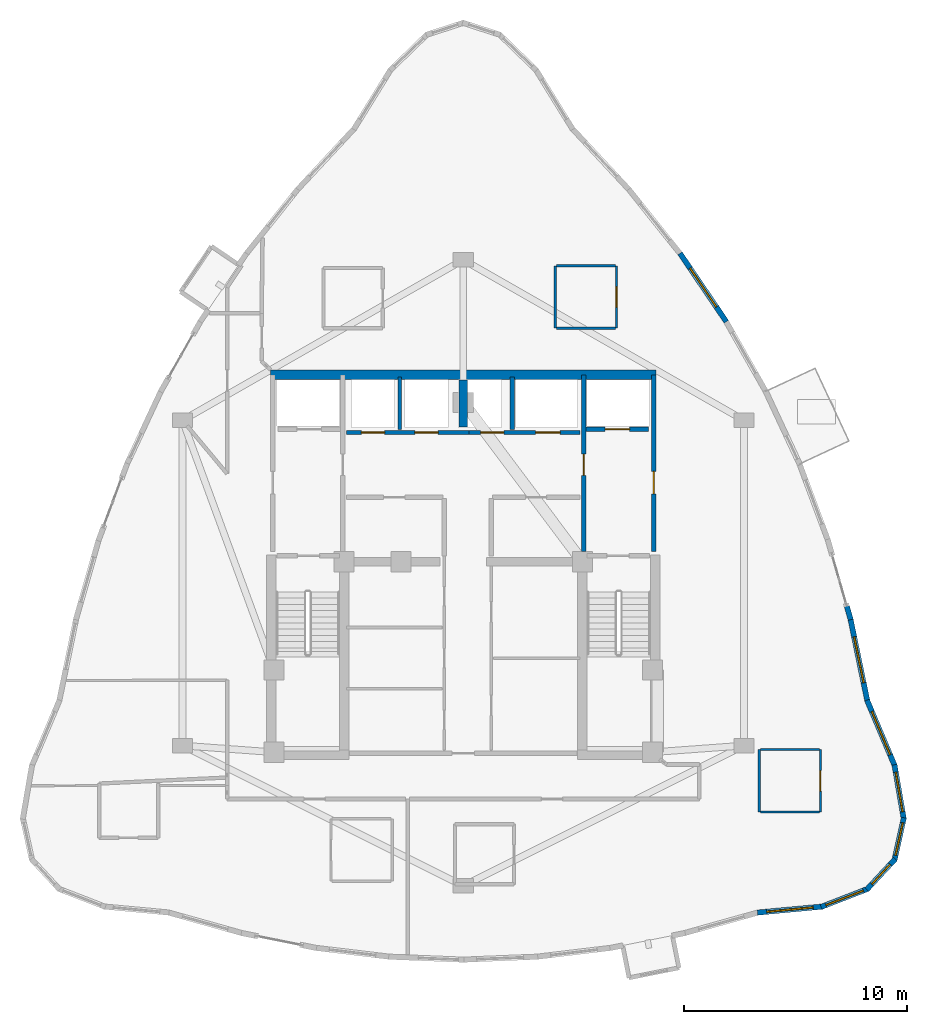
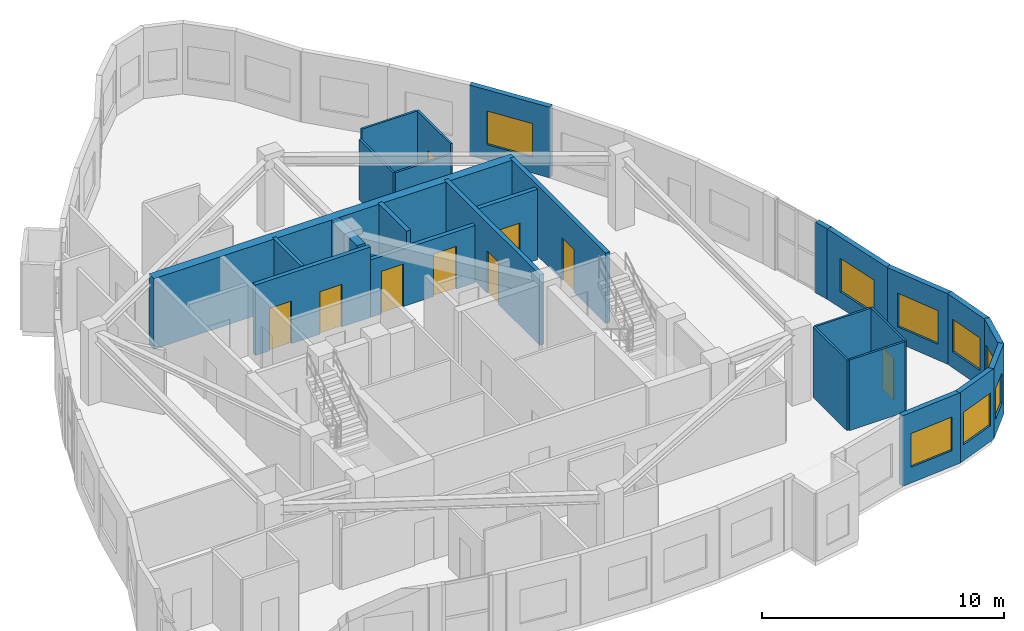
# One storey, part 14 of 16: 26 walls, 9 doors, 8 windows, 17 openings.
"""IFC4 building model written with IfcOpenShell, lengths in metres."""

from ifc_helpers import new_model, si_unit, direction, frame, frame_2d, origin, place, context, subcontext, project, spatial, rectangle, extrude, material, layer, layer_set, type_object, element, fill, save


model = new_model("IFC4")

# Units and contexts
model_context = context("Model", 3, precision=1e-05, world=origin(), true_north=direction((0.0, 1.0)))
body_context = subcontext(model_context, "Body", "Model", "MODEL_VIEW")
ifc_project = project(units=[si_unit("LENGTHUNIT", "METRE"), si_unit("AREAUNIT", "SQUARE_METRE"), si_unit("VOLUMEUNIT", "CUBIC_METRE"), si_unit("PLANEANGLEUNIT", "RADIAN"), si_unit("MASSUNIT", "GRAM", prefix="KILO")], contexts=[model_context])

# Site, building, storey
site_placement = place(None, origin())
site = spatial("IfcSite", under=ifc_project, at=site_placement, CompositionType="ELEMENT")
building_placement = place(site_placement, origin())
building = spatial("IfcBuilding", under=site, at=building_placement, Name="Miruveldt Soraemaru", CompositionType="ELEMENT")
storey_placement = place(building_placement, frame((0.0, 0.0, 271.25)))
storey = spatial("IfcBuildingStorey", under=building, at=storey_placement, Name="L74", CompositionType="ELEMENT", Elevation=271.25)

# Walls
ifc_material_1 = material(Name="Concrete C70/85 (70 MPa)", Category="concrete")
ifc_layer_1 = layer(ifc_material_1, 0.5, Name="Concrete C70/85 (70 MPa)", Category="concrete")
ifc_layer_set_1 = layer_set([ifc_layer_1], Name="Concrete C70/85 (70 MPa)")
wall_type_1 = type_object("IfcWallType", Name="WALL-BW-500", PredefinedType="SHEAR", material=ifc_layer_set_1)
wall_1_placement = place(storey_placement, frame((44.0, 50.10009765625, 0.0), z_axis=(0.0, 0.0, 1.0), x_axis=(0.0, 1.0, 0.0)))
element("IfcWall", 1, at=wall_1_placement, inside=storey, type_object=wall_type_1, Name="L74 Core Buttress Shear Wall BN", PredefinedType="SHEAR", context=body_context, shape_type="SweptSolid", body=[
    extrude(rectangle(XDim=2.099853515625, YDim=0.39990234375, at=frame_2d((1.0498046875, 0.0))), origin(), (0.0, 0.0, 1.0), 3.56494140625),
])
ifc_material_2 = material(Name="Concrete C50/60 (50 MPa)", Category="concrete")
ifc_layer_2 = layer(ifc_material_2, 0.419921875, Name="Concrete C50/60 (50 MPa)", Category="concrete")
ifc_layer_set_2 = layer_set([ifc_layer_2], Name="Concrete C50/60 (50 MPa)")
wall_type_2 = type_object("IfcWallType", Name="WALL-CW-420", PredefinedType="SHEAR", material=ifc_layer_set_2)
wall_2_placement = place(storey_placement, frame((35.35009765625, 52.449951171875, 0.0), z_axis=(0.0, 0.0, 1.0), x_axis=(1.0, 0.0, 0.0)))
element("IfcWall", 2, at=wall_2_placement, inside=storey, type_object=wall_type_2, Name="L74 Central Core Shear Wall N", PredefinedType="SHEAR", context=body_context, shape_type="SweptSolid", body=[
    extrude(rectangle(XDim=17.2998046875, YDim=0.419921875, at=frame_2d((8.64990234375, 0.0))), origin(), (0.0, 0.0, 1.0), 3.56494140625),
])

# Wall, opening, window
ifc_material_3 = material(Name="Precast concrete C45/55 (45 MPa)", Category="concrete")
ifc_layer_3 = layer(ifc_material_3, 0.239990234375, Name="Precast concrete C45/55 (45 MPa)", Category="concrete")
ifc_layer_set_3 = layer_set([ifc_layer_3], Name="Precast concrete C45/55 (45 MPa)")
wall_type_3 = type_object("IfcWallType", Name="WALL-EXT-PC240", PredefinedType="SOLIDWALL", material=ifc_layer_set_3)
wall_3_placement = place(storey_placement, frame((57.20166015625, 28.30078125, 0.0), z_axis=(0.0, 0.0, 1.0), x_axis=(0.995760129853, 0.091987845913, 0.0)))
wall_3 = element("IfcWall", 3, at=wall_3_placement, inside=storey, type_object=wall_type_3, Name="L74 Precast Concrete Facade Wall 29", PredefinedType="SOLIDWALL", context=body_context, shape_type="SweptSolid", body=[
    extrude(rectangle(XDim=2.940673828125, YDim=0.239990234375, at=frame_2d((1.47021484375, 0.0))), origin(), (0.0, 0.0, 1.0), 3.56494140625),
])
opening_1_placement = place(wall_3_placement, frame((0.4208984375, 0.0, 0.800048828125)))
opening_1 = element("IfcOpeningElement", 4, at=opening_1_placement, cuts=wall_3, Name="Opening WN-1", PredefinedType="OPENING", context=body_context, shape_type="SweptSolid", body=[
    extrude(rectangle(XDim=2.10009765625, YDim=1.699951171875, at=frame_2d((1.050048828125, 0.85009765625))), frame((0.0, 0.1298828125, 0.0), z_axis=(0.0, -1.0, 0.0), x_axis=(1.0, 0.0, 0.0)), (0.0, 0.0, 1.0), 0.260009765625),
])
ifc_material_4 = material(Name="Triple low-e insulated glazing", Category="glass")
window_type_1 = type_object("IfcWindowType", Name="WIN-PUNCH-2100x1700", PartitioningType="SINGLE_PANEL", PredefinedType="WINDOW", material=ifc_material_4)
window_1_placement = place(opening_1_placement, origin())
window_1 = element("IfcWindow", 5, at=window_1_placement, inside=storey, type_object=window_type_1, Name="L74 Punched Triple-Glazed Window 29.1", OverallHeight=1.699951171875, OverallWidth=2.10009765625, PartitioningType="SINGLE_PANEL", PredefinedType="WINDOW", context=body_context, shape_type="SweptSolid", body=[
    extrude(rectangle(XDim=2.10009765625, YDim=1.699951171875, at=frame_2d((1.050048828125, 0.85009765625))), frame((0.0, 0.030029296875, 0.0), z_axis=(0.0, -1.0, 0.0), x_axis=(1.0, 0.0, 0.0)), (0.0, 0.0, 1.0), 0.06005859375),
])
fill(opening_1, window_1)

wall_4_placement = place(storey_placement, frame((60.062255859375, 28.555419921875, 0.0), z_axis=(0.0, 0.0, 1.0), x_axis=(0.932300357616, 0.361685005481, 0.0)))
wall_4 = element("IfcWall", 6, at=wall_4_placement, inside=storey, type_object=wall_type_3, Name="L74 Precast Concrete Facade Wall 30", PredefinedType="SOLIDWALL", context=body_context, shape_type="SweptSolid", body=[
    extrude(rectangle(XDim=2.260009765625, YDim=0.239990234375, at=frame_2d((1.1298828125, 0.0))), origin(), (0.0, 0.0, 1.0), 3.56494140625),
])
opening_2_placement = place(wall_4_placement, frame((0.22998046875, 0.0, 0.800048828125)))
opening_2 = element("IfcOpeningElement", 7, at=opening_2_placement, cuts=wall_4, Name="Opening WN-2", PredefinedType="OPENING", context=body_context, shape_type="SweptSolid", body=[
    extrude(rectangle(XDim=1.800048828125, YDim=1.64990234375, at=frame_2d((0.89990234375, 0.824951171875))), frame((0.0, 0.1298828125, 0.0), z_axis=(0.0, -1.0, 0.0), x_axis=(1.0, 0.0, 0.0)), (0.0, 0.0, 1.0), 0.260009765625),
])
window_type_2 = type_object("IfcWindowType", Name="WIN-PUNCH-1800x1650", PartitioningType="SINGLE_PANEL", PredefinedType="WINDOW", material=ifc_material_4)
window_2_placement = place(opening_2_placement, origin())
window_2 = element("IfcWindow", 8, at=window_2_placement, inside=storey, type_object=window_type_2, Name="L74 Punched Triple-Glazed Window 30.1", OverallHeight=1.64990234375, OverallWidth=1.800048828125, PartitioningType="SINGLE_PANEL", PredefinedType="WINDOW", context=body_context, shape_type="SweptSolid", body=[
    extrude(rectangle(XDim=1.800048828125, YDim=1.64990234375, at=frame_2d((0.89990234375, 0.824951171875))), frame((0.0, 0.030029296875, 0.0), z_axis=(0.0, -1.0, 0.0), x_axis=(1.0, 0.0, 0.0)), (0.0, 0.0, 1.0), 0.06005859375),
])
fill(opening_2, window_2)

wall_5_placement = place(storey_placement, frame((62.11279296875, 29.33447265625, 0.0), z_axis=(0.0, 0.0, 1.0), x_axis=(0.680120690591, 0.733100161117, 0.0)))
wall_5 = element("IfcWall", 9, at=wall_5_placement, inside=storey, type_object=wall_type_3, Name="L74 Precast Concrete Facade Wall 31", PredefinedType="SOLIDWALL", context=body_context, shape_type="SweptSolid", body=[
    extrude(rectangle(XDim=1.870849609375, YDim=0.239990234375, at=frame_2d((0.935546875, 0.0))), origin(), (0.0, 0.0, 1.0), 3.56494140625),
])
opening_3_placement = place(wall_5_placement, frame((0.3359375, 0.0, 0.780029296875)))
opening_3 = element("IfcOpeningElement", 10, at=opening_3_placement, cuts=wall_5, Name="Opening WN-4", PredefinedType="OPENING", context=body_context, shape_type="SweptSolid", body=[
    extrude(rectangle(XDim=1.199951171875, YDim=1.550048828125, at=frame_2d((0.60009765625, 0.77490234375))), frame((0.0, 0.1298828125, 0.0), z_axis=(0.0, -1.0, 0.0), x_axis=(1.0, 0.0, 0.0)), (0.0, 0.0, 1.0), 0.260009765625),
])
window_type_3 = type_object("IfcWindowType", Name="WIN-PUNCH-1200x1550", PartitioningType="SINGLE_PANEL", PredefinedType="WINDOW", material=ifc_material_4)
window_3_placement = place(opening_3_placement, origin())
window_3 = element("IfcWindow", 11, at=window_3_placement, inside=storey, type_object=window_type_3, Name="L74 Punched Triple-Glazed Window 31.1", OverallHeight=1.550048828125, OverallWidth=1.199951171875, PartitioningType="SINGLE_PANEL", PredefinedType="WINDOW", context=body_context, shape_type="SweptSolid", body=[
    extrude(rectangle(XDim=1.199951171875, YDim=1.550048828125, at=frame_2d((0.60009765625, 0.77490234375))), frame((0.0, 0.030029296875, 0.0), z_axis=(0.0, -1.0, 0.0), x_axis=(1.0, 0.0, 0.0)), (0.0, 0.0, 1.0), 0.06005859375),
])
fill(opening_3, window_3)

wall_6_placement = place(storey_placement, frame((63.353759765625, 30.64599609375, 0.0), z_axis=(0.0, 0.0, 1.0), x_axis=(0.215784627028, 0.976440983746, 0.0)))
wall_6 = element("IfcWall", 12, at=wall_6_placement, inside=storey, type_object=wall_type_3, Name="L74 Precast Concrete Facade Wall 32", PredefinedType="SOLIDWALL", context=body_context, shape_type="SweptSolid", body=[
    extrude(rectangle(XDim=1.962890625, YDim=0.239990234375, at=frame_2d((0.9814453125, 0.0))), origin(), (0.0, 0.0, 1.0), 3.56494140625),
])
opening_4_placement = place(wall_6_placement, frame((0.23095703125, 0.0, 0.800048828125)))
opening_4 = element("IfcOpeningElement", 13, at=opening_4_placement, cuts=wall_6, Name="Opening WN-3", PredefinedType="OPENING", context=body_context, shape_type="SweptSolid", body=[
    extrude(rectangle(XDim=1.5, YDim=1.60009765625, at=frame_2d((0.75, 0.800048828125))), frame((0.0, 0.1298828125, 0.0), z_axis=(0.0, -1.0, 0.0), x_axis=(1.0, 0.0, 0.0)), (0.0, 0.0, 1.0), 0.260009765625),
])
window_type_4 = type_object("IfcWindowType", Name="WIN-PUNCH-1500x1600", PartitioningType="SINGLE_PANEL", PredefinedType="WINDOW", material=ifc_material_4)
window_4_placement = place(opening_4_placement, origin())
window_4 = element("IfcWindow", 14, at=window_4_placement, inside=storey, type_object=window_type_4, Name="L74 Punched Triple-Glazed Window 32.1", OverallHeight=1.60009765625, OverallWidth=1.5, PartitioningType="SINGLE_PANEL", PredefinedType="WINDOW", context=body_context, shape_type="SweptSolid", body=[
    extrude(rectangle(XDim=1.5, YDim=1.60009765625, at=frame_2d((0.75, 0.800048828125))), frame((0.0, 0.030029296875, 0.0), z_axis=(0.0, -1.0, 0.0), x_axis=(1.0, 0.0, 0.0)), (0.0, 0.0, 1.0), 0.06005859375),
])
fill(opening_4, window_4)

wall_7_placement = place(storey_placement, frame((63.775634765625, 32.493896484375, 0.0), z_axis=(0.0, 0.0, 1.0), x_axis=(-0.169343427953, 0.985557103069, 0.0)))
wall_7 = element("IfcWall", 15, at=wall_7_placement, inside=storey, type_object=wall_type_3, Name="L74 Precast Concrete Facade Wall 33", PredefinedType="SOLIDWALL", context=body_context, shape_type="SweptSolid", body=[
    extrude(rectangle(XDim=2.481201171875, YDim=0.239990234375, at=frame_2d((1.24072265625, 0.0))), origin(), (0.0, 0.0, 1.0), 3.56494140625),
])
opening_5_placement = place(wall_7_placement, frame((0.341064453125, 0.0, 0.800048828125)))
opening_5 = element("IfcOpeningElement", 16, at=opening_5_placement, cuts=wall_7, Name="Opening WN-2", PredefinedType="OPENING", context=body_context, shape_type="SweptSolid", body=[
    extrude(rectangle(XDim=1.800048828125, YDim=1.64990234375, at=frame_2d((0.89990234375, 0.824951171875))), frame((0.0, 0.1298828125, 0.0), z_axis=(0.0, -1.0, 0.0), x_axis=(1.0, 0.0, 0.0)), (0.0, 0.0, 1.0), 0.260009765625),
])
window_5_placement = place(opening_5_placement, origin())
window_5 = element("IfcWindow", 17, at=window_5_placement, inside=storey, type_object=window_type_2, Name="L74 Punched Triple-Glazed Window 33.1", OverallHeight=1.64990234375, OverallWidth=1.800048828125, PartitioningType="SINGLE_PANEL", PredefinedType="WINDOW", context=body_context, shape_type="SweptSolid", body=[
    extrude(rectangle(XDim=1.800048828125, YDim=1.64990234375, at=frame_2d((0.89990234375, 0.824951171875))), frame((0.0, 0.030029296875, 0.0), z_axis=(0.0, -1.0, 0.0), x_axis=(1.0, 0.0, 0.0)), (0.0, 0.0, 1.0), 0.06005859375),
])
fill(opening_5, window_5)

wall_8_placement = place(storey_placement, frame((63.375, 34.87255859375, 0.0), z_axis=(0.0, 0.0, 1.0), x_axis=(-0.38863618044, 0.921391295408, 0.0)))
wall_8 = element("IfcWall", 18, at=wall_8_placement, inside=storey, type_object=wall_type_3, Name="L74 Precast Concrete Facade Wall 34", PredefinedType="SOLIDWALL", context=body_context, shape_type="SweptSolid", body=[
    extrude(rectangle(XDim=3.221923828125, YDim=0.239990234375, at=frame_2d((1.61083984375, 0.0))), origin(), (0.0, 0.0, 1.0), 3.56494140625),
])
opening_6_placement = place(wall_8_placement, frame((0.56103515625, 0.0, 0.800048828125)))
opening_6 = element("IfcOpeningElement", 19, at=opening_6_placement, cuts=wall_8, Name="Opening WN-1", PredefinedType="OPENING", context=body_context, shape_type="SweptSolid", body=[
    extrude(rectangle(XDim=2.10009765625, YDim=1.699951171875, at=frame_2d((1.050048828125, 0.85009765625))), frame((0.0, 0.1298828125, 0.0), z_axis=(0.0, -1.0, 0.0), x_axis=(1.0, 0.0, 0.0)), (0.0, 0.0, 1.0), 0.260009765625),
])
window_6_placement = place(opening_6_placement, origin())
window_6 = element("IfcWindow", 20, at=window_6_placement, inside=storey, type_object=window_type_1, Name="L74 Punched Triple-Glazed Window 34.1", OverallHeight=1.699951171875, OverallWidth=2.10009765625, PartitioningType="SINGLE_PANEL", PredefinedType="WINDOW", context=body_context, shape_type="SweptSolid", body=[
    extrude(rectangle(XDim=2.10009765625, YDim=1.699951171875, at=frame_2d((1.050048828125, 0.85009765625))), frame((0.0, 0.030029296875, 0.0), z_axis=(0.0, -1.0, 0.0), x_axis=(1.0, 0.0, 0.0)), (0.0, 0.0, 1.0), 0.06005859375),
])
fill(opening_6, window_6)

wall_9_placement = place(storey_placement, frame((62.1435546875, 37.77490234375, 0.0), z_axis=(0.0, 0.0, 1.0), x_axis=(-0.201582588986, 0.979471520677, 0.0)))
wall_9 = element("IfcWall", 21, at=wall_9_placement, inside=storey, type_object=wall_type_3, Name="L74 Precast Concrete Facade Wall 35", PredefinedType="SOLIDWALL", context=body_context, shape_type="SweptSolid", body=[
    extrude(rectangle(XDim=3.81982421875, YDim=0.239990234375, at=frame_2d((1.909912109375, 0.0))), origin(), (0.0, 0.0, 1.0), 3.56494140625),
])
opening_7_placement = place(wall_9_placement, frame((0.860107421875, 0.0, 0.800048828125)))
opening_7 = element("IfcOpeningElement", 22, at=opening_7_placement, cuts=wall_9, Name="Opening WN-1", PredefinedType="OPENING", context=body_context, shape_type="SweptSolid", body=[
    extrude(rectangle(XDim=2.10009765625, YDim=1.699951171875, at=frame_2d((1.050048828125, 0.85009765625))), frame((0.0, 0.1298828125, 0.0), z_axis=(0.0, -1.0, 0.0), x_axis=(1.0, 0.0, 0.0)), (0.0, 0.0, 1.0), 0.260009765625),
])
window_7_placement = place(opening_7_placement, origin())
window_7 = element("IfcWindow", 23, at=window_7_placement, inside=storey, type_object=window_type_1, Name="L74 Punched Triple-Glazed Window 35.1", OverallHeight=1.699951171875, OverallWidth=2.10009765625, PartitioningType="SINGLE_PANEL", PredefinedType="WINDOW", context=body_context, shape_type="SweptSolid", body=[
    extrude(rectangle(XDim=2.10009765625, YDim=1.699951171875, at=frame_2d((1.050048828125, 0.85009765625))), frame((0.0, 0.030029296875, 0.0), z_axis=(0.0, -1.0, 0.0), x_axis=(1.0, 0.0, 0.0)), (0.0, 0.0, 1.0), 0.06005859375),
])
fill(opening_7, window_7)

# Wall
wall_10_placement = place(storey_placement, frame((61.39013671875, 41.448486328125, 0.0), z_axis=(0.0, 0.0, 1.0), x_axis=(-0.274995576432, 0.961445491405, 0.0)))
element("IfcWall", 24, at=wall_10_placement, inside=storey, type_object=wall_type_3, Name="L74 Precast Pier Left 36", PredefinedType="SOLIDWALL", context=body_context, shape_type="SweptSolid", body=[
    extrude(rectangle(XDim=0.704833984375, YDim=0.239990234375, at=frame_2d((0.3525390625, 0.0))), origin(), (0.0, 0.0, 1.0), 3.56494140625),
])

# Wall, opening, window
wall_11_placement = place(storey_placement, frame((55.80908203125, 54.821533203125, 0.0), z_axis=(0.0, 0.0, 1.0), x_axis=(-0.560855426281, 0.827913758076, 0.0)))
wall_11 = element("IfcWall", 25, at=wall_11_placement, inside=storey, type_object=wall_type_3, Name="L74 Precast Concrete Facade Wall 40", PredefinedType="SOLIDWALL", context=body_context, shape_type="SweptSolid", body=[
    extrude(rectangle(XDim=3.70703125, YDim=0.239990234375, at=frame_2d((1.853515625, 0.0))), origin(), (0.0, 0.0, 1.0), 3.56494140625),
])
opening_8_placement = place(wall_11_placement, frame((0.803955078125, 0.0, 0.800048828125)))
opening_8 = element("IfcOpeningElement", 26, at=opening_8_placement, cuts=wall_11, Name="Opening WN-1", PredefinedType="OPENING", context=body_context, shape_type="SweptSolid", body=[
    extrude(rectangle(XDim=2.10009765625, YDim=1.699951171875, at=frame_2d((1.050048828125, 0.85009765625))), frame((0.0, 0.1298828125, 0.0), z_axis=(0.0, -1.0, 0.0), x_axis=(1.0, 0.0, 0.0)), (0.0, 0.0, 1.0), 0.260009765625),
])
window_8_placement = place(opening_8_placement, origin())
window_8 = element("IfcWindow", 27, at=window_8_placement, inside=storey, type_object=window_type_1, Name="L74 Punched Triple-Glazed Window 40.1", OverallHeight=1.699951171875, OverallWidth=2.10009765625, PartitioningType="SINGLE_PANEL", PredefinedType="WINDOW", context=body_context, shape_type="SweptSolid", body=[
    extrude(rectangle(XDim=2.10009765625, YDim=1.699951171875, at=frame_2d((1.050048828125, 0.85009765625))), frame((0.0, 0.030029296875, 0.0), z_axis=(0.0, -1.0, 0.0), x_axis=(1.0, 0.0, 0.0)), (0.0, 0.0, 1.0), 0.06005859375),
])
fill(opening_8, window_8)

# Wall, opening, door
ifc_material_5 = material(Name="Gypsum plasterboard lining", Category="gypsum")
ifc_layer_4 = layer(ifc_material_5, 0.10009765625, Name="Gypsum plasterboard lining", Category="gypsum")
ifc_layer_set_4 = layer_set([ifc_layer_4], Name="Gypsum plasterboard lining")
wall_type_4 = type_object("IfcWallType", Name="WALL-INT-P100", PredefinedType="PARTITIONING", material=ifc_layer_set_4)
wall_12_placement = place(storey_placement, frame((60.030029296875, 32.818115234375, 0.0), z_axis=(0.0, 0.0, 1.0), x_axis=(0.0, 1.0, 0.0)))
wall_12 = element("IfcWall", 28, at=wall_12_placement, inside=storey, type_object=wall_type_4, Name="L74 Partition Wall 35", PredefinedType="PARTITIONING", context=body_context, shape_type="SweptSolid", body=[
    extrude(rectangle(XDim=2.7998046875, YDim=0.10009765625, at=frame_2d((1.39990234375, 0.0))), origin(), (0.0, 0.0, 1.0), 3.56494140625),
])
opening_9_placement = place(wall_12_placement, frame((0.93994140625, 0.0, 0.0)))
opening_9 = element("IfcOpeningElement", 29, at=opening_9_placement, cuts=wall_12, Name="Opening D3A", PredefinedType="OPENING", context=body_context, shape_type="SweptSolid", body=[
    extrude(rectangle(XDim=0.919921875, YDim=2.10009765625, at=frame_2d((0.4599609375, 1.050048828125))), frame((0.0, 0.06005859375, 0.0), z_axis=(0.0, -1.0, 0.0), x_axis=(1.0, 0.0, 0.0)), (0.0, 0.0, 1.0), 0.1201171875),
])
ifc_material_6 = material(Name="Anodised aluminium EN AW-6063 T6", Category="aluminium")
door_type_1 = type_object("IfcDoorType", Name="DOOR-INT-920", OperationType="NOTDEFINED", PredefinedType="DOOR", material=ifc_material_6)
door_1_placement = place(opening_9_placement, origin())
door_1 = element("IfcDoor", 30, at=door_1_placement, inside=storey, type_object=door_type_1, Name="L74 Unit CL04 KIT Door", OperationType="SINGLE_SWING_RIGHT", OverallHeight=2.10009765625, OverallWidth=0.919921875, PredefinedType="DOOR", context=body_context, shape_type="SweptSolid", body=[
    extrude(rectangle(XDim=0.919921875, YDim=2.10009765625, at=frame_2d((0.4599609375, 1.050048828125))), frame((0.0, 0.02490234375, 0.0), z_axis=(0.0, -1.0, 0.0), x_axis=(1.0, 0.0, 0.0)), (0.0, 0.0, 1.0), 0.050048828125),
])
fill(opening_9, door_1)

wall_13_placement = place(storey_placement, frame((50.8798828125, 54.530029296875, 0.0), z_axis=(0.0, 0.0, 1.0), x_axis=(0.0, 1.0, 0.0)))
wall_13 = element("IfcWall", 31, at=wall_13_placement, inside=storey, type_object=wall_type_4, Name="L74 Partition Wall 16", PredefinedType="PARTITIONING", context=body_context, shape_type="SweptSolid", body=[
    extrude(rectangle(XDim=2.800048828125, YDim=0.10009765625, at=frame_2d((1.39990234375, 0.0))), origin(), (0.0, 0.0, 1.0), 3.56494140625),
])
opening_10_placement = place(wall_13_placement, frame((0.93994140625, 0.0, 0.0)))
opening_10 = element("IfcOpeningElement", 32, at=opening_10_placement, cuts=wall_13, Name="Opening D3A", PredefinedType="OPENING", context=body_context, shape_type="SweptSolid", body=[
    extrude(rectangle(XDim=0.919921875, YDim=2.10009765625, at=frame_2d((0.4599609375, 1.050048828125))), frame((0.0, 0.06005859375, 0.0), z_axis=(0.0, -1.0, 0.0), x_axis=(1.0, 0.0, 0.0)), (0.0, 0.0, 1.0), 0.1201171875),
])
door_2_placement = place(opening_10_placement, origin())
door_2 = element("IfcDoor", 33, at=door_2_placement, inside=storey, type_object=door_type_1, Name="L74 Unit CL02 KIT Door", OperationType="SINGLE_SWING_LEFT", OverallHeight=2.10009765625, OverallWidth=0.919921875, PredefinedType="DOOR", context=body_context, shape_type="SweptSolid", body=[
    extrude(rectangle(XDim=0.919921875, YDim=2.10009765625, at=frame_2d((0.4599609375, 1.050048828125))), frame((0.0, 0.02490234375, 0.0), z_axis=(0.0, -1.0, 0.0), x_axis=(1.0, 0.0, 0.0)), (0.0, 0.0, 1.0), 0.050048828125),
])
fill(opening_10, door_2)

# Walls
wall_14_placement = place(storey_placement, frame((57.280029296875, 35.617919921875, 0.0), z_axis=(0.0, 0.0, 1.0), x_axis=(0.0, -1.0, 0.0)))
element("IfcWall", 34, at=wall_14_placement, inside=storey, type_object=wall_type_4, Name="L74 Partition Wall 37", PredefinedType="PARTITIONING", context=body_context, shape_type="SweptSolid", body=[
    extrude(rectangle(XDim=2.7998046875, YDim=0.10009765625, at=frame_2d((1.39990234375, 0.0))), origin(), (0.0, 0.0, 1.0), 3.56494140625),
])
wall_15_placement = place(storey_placement, frame((48.1298828125, 57.330078125, 0.0), z_axis=(0.0, 0.0, 1.0), x_axis=(0.0, -1.0, 0.0)))
element("IfcWall", 35, at=wall_15_placement, inside=storey, type_object=wall_type_4, Name="L74 Partition Wall 18", PredefinedType="PARTITIONING", context=body_context, shape_type="SweptSolid", body=[
    extrude(rectangle(XDim=2.800048828125, YDim=0.10009765625, at=frame_2d((1.39990234375, 0.0))), origin(), (0.0, 0.0, 1.0), 3.06494140625),
])
wall_16_placement = place(storey_placement, frame((50.830078125, 57.330078125, 0.0), z_axis=(0.0, 0.0, 1.0), x_axis=(-1.0, 0.0, 0.0)))
element("IfcWall", 36, at=wall_16_placement, inside=storey, type_object=wall_type_4, Name="L74 Partition Wall 17", PredefinedType="PARTITIONING", context=body_context, shape_type="SweptSolid", body=[
    extrude(rectangle(XDim=2.650146484375, YDim=0.10009765625, at=frame_2d((1.3251953125, 0.0))), origin(), (0.0, 0.0, 1.0), 3.56494140625),
])
wall_17_placement = place(storey_placement, frame((48.179931640625, 54.530029296875, 0.0), z_axis=(0.0, 0.0, 1.0), x_axis=(1.0, 0.0, 0.0)))
element("IfcWall", 37, at=wall_17_placement, inside=storey, type_object=wall_type_4, Name="L74 Partition Wall 19", PredefinedType="PARTITIONING", context=body_context, shape_type="SweptSolid", body=[
    extrude(rectangle(XDim=2.650146484375, YDim=0.10009765625, at=frame_2d((1.3251953125, 0.0))), origin(), (0.0, 0.0, 1.0), 3.06494140625),
])
for number, where, z_axis, x_axis, name in (
    (38, (59.97998046875, 35.617919921875, 0.0), (0.0, 0.0, 1.0), (-1.0, 0.0, 0.0), "L74 Partition Wall 36"),
    (39, (57.330078125, 32.818115234375, 0.0), (0.0, 0.0, 1.0), (1.0, 0.0, 0.0), "L74 Partition Wall 38"),
):
    element("IfcWall", number, at=place(storey_placement, frame(where, z_axis=z_axis, x_axis=x_axis)), inside=storey, type_object=wall_type_4, Name=name, PredefinedType="PARTITIONING", context=body_context, shape_type="SweptSolid", body=[
        extrude(rectangle(XDim=2.64990234375, YDim=0.10009765625, at=frame_2d((1.324951171875, 0.0))), origin(), (0.0, 0.0, 1.0), 3.56494140625),
    ])
ifc_material_7 = material(Name="Concrete C40/50 (40 MPa)", Category="concrete")
ifc_layer_5 = layer(ifc_material_7, 0.159912109375, Name="Concrete C40/50 (40 MPa)", Category="concrete")
ifc_layer_set_5 = layer_set([ifc_layer_5], Name="Concrete C40/50 (40 MPa)")
wall_type_5 = type_object("IfcWallType", Name="WALL-INT-RC160", PredefinedType="SOLIDWALL", material=ifc_layer_set_5)
wall_18_placement = place(storey_placement, frame((41.14990234375, 49.97998046875, 0.0), z_axis=(0.0, 0.0, 1.0), x_axis=(0.0, 1.0, 0.0)))
element("IfcWall", 40, at=wall_18_placement, inside=storey, type_object=wall_type_5, Name="L74 Core Compartment Wall PLH-DIV1", PredefinedType="SOLIDWALL", context=body_context, shape_type="SweptSolid", body=[
    extrude(rectangle(XDim=2.3701171875, YDim=0.159912109375, at=frame_2d((1.18505859375, 0.0))), origin(), (0.0, 0.0, 1.0), 3.56494140625),
])

# Wall, opening, door
ifc_layer_6 = layer(ifc_material_7, 0.199951171875, Name="Concrete C40/50 (40 MPa)", Category="concrete")
ifc_layer_set_6 = layer_set([ifc_layer_6], Name="Concrete C40/50 (40 MPa)")
wall_type_6 = type_object("IfcWallType", Name="WALL-INT-RC200", PredefinedType="SOLIDWALL", material=ifc_layer_set_6)
wall_19_placement = place(storey_placement, frame((52.550048828125, 44.5, 0.0), z_axis=(0.0, 0.0, 1.0), x_axis=(0.0, 1.0, 0.0)))
wall_19 = element("IfcWall", 41, at=wall_19_placement, inside=storey, type_object=wall_type_6, Name="L74 Core Compartment Wall FFE-OUT", PredefinedType="SOLIDWALL", context=body_context, shape_type="SweptSolid", body=[
    extrude(rectangle(XDim=7.919921875, YDim=0.199951171875, at=frame_2d((3.9599609375, 0.0))), origin(), (0.0, 0.0, 1.0), 3.56494140625),
])
opening_11_placement = place(wall_19_placement, frame((2.60009765625, 0.0, 0.0)))
opening_11 = element("IfcOpeningElement", 42, at=opening_11_placement, cuts=wall_19, Name="Opening FD1", PredefinedType="OPENING", context=body_context, shape_type="SweptSolid", body=[
    extrude(rectangle(XDim=1.0, YDim=2.14990234375, at=frame_2d((0.5, 1.074951171875))), frame((0.0, 0.10986328125, 0.0), z_axis=(0.0, -1.0, 0.0), x_axis=(1.0, 0.0, 0.0)), (0.0, 0.0, 1.0), 0.219970703125),
])
door_type_2 = type_object("IfcDoorType", Name="DOOR-FD1-1000", OperationType="NOTDEFINED", PredefinedType="DOOR", material=ifc_material_6)
door_3_placement = place(opening_11_placement, frame((1.0, 0.0, 0.0), z_axis=(0.0, 0.0, 1.0), x_axis=(-1.0, 0.0, 0.0)))
door_3 = element("IfcDoor", 43, at=door_3_placement, inside=storey, type_object=door_type_2, Name="L74 East Firefighting Lobby Exit Door", OperationType="SINGLE_SWING_RIGHT", OverallHeight=2.14990234375, OverallWidth=1.0, PredefinedType="DOOR", context=body_context, shape_type="SweptSolid", body=[
    extrude(rectangle(XDim=1.0, YDim=2.14990234375, at=frame_2d((0.5, 1.074951171875))), frame((0.0, 0.02490234375, 0.0), z_axis=(0.0, -1.0, 0.0), x_axis=(1.0, 0.0, 0.0)), (0.0, 0.0, 1.0), 0.050048828125),
])
fill(opening_11, door_3)

wall_20_placement = place(storey_placement, frame((49.39990234375, 44.5, 0.0), z_axis=(0.0, 0.0, 1.0), x_axis=(0.0, 1.0, 0.0)))
wall_20 = element("IfcWall", 44, at=wall_20_placement, inside=storey, type_object=wall_type_6, Name="L74 Core Compartment Wall FFE-IN", PredefinedType="SOLIDWALL", context=body_context, shape_type="SweptSolid", body=[
    extrude(rectangle(XDim=7.919921875, YDim=0.199951171875, at=frame_2d((3.9599609375, 0.0))), origin(), (0.0, 0.0, 1.0), 3.56494140625),
])
opening_12_placement = place(wall_20_placement, frame((3.425048828125, 0.0, 0.0)))
opening_12 = element("IfcOpeningElement", 45, at=opening_12_placement, cuts=wall_20, Name="Opening FD2", PredefinedType="OPENING", context=body_context, shape_type="SweptSolid", body=[
    extrude(rectangle(XDim=0.949951171875, YDim=2.14990234375, at=frame_2d((0.47509765625, 1.074951171875))), frame((0.0, 0.10986328125, 0.0), z_axis=(0.0, -1.0, 0.0), x_axis=(1.0, 0.0, 0.0)), (0.0, 0.0, 1.0), 0.219970703125),
])
door_type_3 = type_object("IfcDoorType", Name="DOOR-FD2-950", OperationType="NOTDEFINED", PredefinedType="DOOR", material=ifc_material_6)
door_4_placement = place(opening_12_placement, origin())
door_4 = element("IfcDoor", 46, at=door_4_placement, inside=storey, type_object=door_type_3, Name="L74 Lift Lobby to East Fire Lobby Door", OperationType="SINGLE_SWING_LEFT", OverallHeight=2.14990234375, OverallWidth=0.949951171875, PredefinedType="DOOR", context=body_context, shape_type="SweptSolid", body=[
    extrude(rectangle(XDim=0.949951171875, YDim=2.14990234375, at=frame_2d((0.47509765625, 1.074951171875))), frame((0.0, 0.02490234375, 0.0), z_axis=(0.0, -1.0, 0.0), x_axis=(1.0, 0.0, 0.0)), (0.0, 0.0, 1.0), 0.050048828125),
])
fill(opening_12, door_4)

# Wall, openings, doors
wall_21_placement = place(storey_placement, frame((38.75, 49.85009765625, 0.0), z_axis=(0.0, 0.0, 1.0), x_axis=(1.0, 0.0, 0.0)))
wall_21 = element("IfcWall", 47, at=wall_21_placement, inside=storey, type_object=wall_type_6, Name="L74 Core Compartment Wall ROWA-SW", PredefinedType="SOLIDWALL", context=body_context, shape_type="SweptSolid", body=[
    extrude(rectangle(XDim=5.5, YDim=0.199951171875, at=frame_2d((2.75, 0.0))), origin(), (0.0, 0.0, 1.0), 3.56494140625),
])
opening_13_placement = place(wall_21_placement, frame((0.675048828125, 0.0, 0.0)))
opening_13 = element("IfcOpeningElement", 48, at=opening_13_placement, cuts=wall_21, Name="Opening LD1", PredefinedType="OPENING", context=body_context, shape_type="SweptSolid", body=[
    extrude(rectangle(XDim=1.050048828125, YDim=2.14990234375, at=frame_2d((0.52490234375, 1.074951171875))), frame((0.0, 0.10986328125, 0.0), z_axis=(0.0, -1.0, 0.0), x_axis=(1.0, 0.0, 0.0)), (0.0, 0.0, 1.0), 0.219970703125),
])
opening_14_placement = place(wall_21_placement, frame((3.074951171875, 0.0, 0.0)))
opening_14 = element("IfcOpeningElement", 49, at=opening_14_placement, cuts=wall_21, Name="Opening LD1", PredefinedType="OPENING", context=body_context, shape_type="SweptSolid", body=[
    extrude(rectangle(XDim=1.050048828125, YDim=2.14990234375, at=frame_2d((0.52490234375, 1.074951171875))), frame((0.0, 0.10986328125, 0.0), z_axis=(0.0, -1.0, 0.0), x_axis=(1.0, 0.0, 0.0)), (0.0, 0.0, 1.0), 0.219970703125),
])
door_type_4 = type_object("IfcDoorType", Name="DOOR-LD1-1050", OperationType="SLIDING_TO_LEFT", PredefinedType="DOOR", material=ifc_material_6)
door_5_placement = place(opening_13_placement, origin())
door_5 = element("IfcDoor", 50, at=door_5_placement, inside=storey, type_object=door_type_4, Name="L74 PL-H1 Landing Door", OperationType="SLIDING_TO_LEFT", OverallHeight=2.14990234375, OverallWidth=1.050048828125, PredefinedType="DOOR", context=body_context, shape_type="SweptSolid", body=[
    extrude(rectangle(XDim=1.050048828125, YDim=2.14990234375, at=frame_2d((0.52490234375, 1.074951171875))), frame((0.0, 0.02490234375, 0.0), z_axis=(0.0, -1.0, 0.0), x_axis=(1.0, 0.0, 0.0)), (0.0, 0.0, 1.0), 0.050048828125),
])
fill(opening_13, door_5)
door_6_placement = place(opening_14_placement, origin())
door_6 = element("IfcDoor", 51, at=door_6_placement, inside=storey, type_object=door_type_4, Name="L74 PL-H2 Landing Door", OperationType="SLIDING_TO_LEFT", OverallHeight=2.14990234375, OverallWidth=1.050048828125, PredefinedType="DOOR", context=body_context, shape_type="SweptSolid", body=[
    extrude(rectangle(XDim=1.050048828125, YDim=2.14990234375, at=frame_2d((0.52490234375, 1.074951171875))), frame((0.0, 0.02490234375, 0.0), z_axis=(0.0, -1.0, 0.0), x_axis=(1.0, 0.0, 0.0)), (0.0, 0.0, 1.0), 0.050048828125),
])
fill(opening_14, door_6)

wall_22_placement = place(storey_placement, frame((44.25, 49.85009765625, 0.0), z_axis=(0.0, 0.0, 1.0), x_axis=(1.0, 0.0, 0.0)))
wall_22 = element("IfcWall", 52, at=wall_22_placement, inside=storey, type_object=wall_type_6, Name="L74 Core Compartment Wall ROWA-SE", PredefinedType="SOLIDWALL", context=body_context, shape_type="SweptSolid", body=[
    extrude(rectangle(XDim=5.0, YDim=0.199951171875, at=frame_2d((2.5, 0.0))), origin(), (0.0, 0.0, 1.0), 2.903076171875),
])
opening_15_placement = place(wall_22_placement, frame((0.52490234375, 0.0, 0.0)))
opening_15 = element("IfcOpeningElement", 53, at=opening_15_placement, cuts=wall_22, Name="Opening LD1", PredefinedType="OPENING", context=body_context, shape_type="SweptSolid", body=[
    extrude(rectangle(XDim=1.050048828125, YDim=2.14990234375, at=frame_2d((0.52490234375, 1.074951171875))), frame((0.0, 0.10986328125, 0.0), z_axis=(0.0, -1.0, 0.0), x_axis=(1.0, 0.0, 0.0)), (0.0, 0.0, 1.0), 0.219970703125),
])
opening_16_placement = place(wall_22_placement, frame((3.0, 0.0, 0.0)))
opening_16 = element("IfcOpeningElement", 54, at=opening_16_placement, cuts=wall_22, Name="Opening LD2", PredefinedType="OPENING", context=body_context, shape_type="SweptSolid", body=[
    extrude(rectangle(XDim=1.10009765625, YDim=2.14990234375, at=frame_2d((0.550048828125, 1.074951171875))), frame((0.0, 0.10986328125, 0.0), z_axis=(0.0, -1.0, 0.0), x_axis=(1.0, 0.0, 0.0)), (0.0, 0.0, 1.0), 0.219970703125),
])
door_7_placement = place(opening_15_placement, origin())
door_7 = element("IfcDoor", 55, at=door_7_placement, inside=storey, type_object=door_type_4, Name="L74 PL-H3 Landing Door", OperationType="SLIDING_TO_LEFT", OverallHeight=2.14990234375, OverallWidth=1.050048828125, PredefinedType="DOOR", context=body_context, shape_type="SweptSolid", body=[
    extrude(rectangle(XDim=1.050048828125, YDim=2.14990234375, at=frame_2d((0.52490234375, 1.074951171875))), frame((0.0, 0.02490234375, 0.0), z_axis=(0.0, -1.0, 0.0), x_axis=(1.0, 0.0, 0.0)), (0.0, 0.0, 1.0), 0.050048828125),
])
fill(opening_15, door_7)
door_type_5 = type_object("IfcDoorType", Name="DOOR-LD2-1100", OperationType="SLIDING_TO_LEFT", PredefinedType="DOOR", material=ifc_material_6)
door_8_placement = place(opening_16_placement, origin())
door_8 = element("IfcDoor", 56, at=door_8_placement, inside=storey, type_object=door_type_5, Name="L74 SL-1 Landing Door", OperationType="SLIDING_TO_LEFT", OverallHeight=2.14990234375, OverallWidth=1.10009765625, PredefinedType="DOOR", context=body_context, shape_type="SweptSolid", body=[
    extrude(rectangle(XDim=1.10009765625, YDim=2.14990234375, at=frame_2d((0.550048828125, 1.074951171875))), frame((0.0, 0.02490234375, 0.0), z_axis=(0.0, -1.0, 0.0), x_axis=(1.0, 0.0, 0.0)), (0.0, 0.0, 1.0), 0.050048828125),
])
fill(opening_16, door_8)

# Wall, opening, door
wall_23_placement = place(storey_placement, frame((49.52001953125, 50.0, 0.0), z_axis=(0.0, 0.0, 1.0), x_axis=(1.0, 0.0, 0.0)))
wall_23 = element("IfcWall", 57, at=wall_23_placement, inside=storey, type_object=wall_type_6, Name="L74 Core Compartment Wall FFL2-S", PredefinedType="SOLIDWALL", context=body_context, shape_type="SweptSolid", body=[
    extrude(rectangle(XDim=2.800048828125, YDim=0.199951171875, at=frame_2d((1.39990234375, 0.0))), origin(), (0.0, 0.0, 1.0), 3.56494140625),
])
opening_17_placement = place(wall_23_placement, frame((0.85009765625, 0.0, 0.0)))
opening_17 = element("IfcOpeningElement", 58, at=opening_17_placement, cuts=wall_23, Name="Opening LD2", PredefinedType="OPENING", context=body_context, shape_type="SweptSolid", body=[
    extrude(rectangle(XDim=1.10009765625, YDim=2.14990234375, at=frame_2d((0.550048828125, 1.074951171875))), frame((0.0, 0.10986328125, 0.0), z_axis=(0.0, -1.0, 0.0), x_axis=(1.0, 0.0, 0.0)), (0.0, 0.0, 1.0), 0.219970703125),
])
door_9_placement = place(opening_17_placement, origin())
door_9 = element("IfcDoor", 59, at=door_9_placement, inside=storey, type_object=door_type_5, Name="L74 FFL-2 Landing Door", OperationType="SLIDING_TO_LEFT", OverallHeight=2.14990234375, OverallWidth=1.10009765625, PredefinedType="DOOR", context=body_context, shape_type="SweptSolid", body=[
    extrude(rectangle(XDim=1.10009765625, YDim=2.14990234375, at=frame_2d((0.550048828125, 1.074951171875))), frame((0.0, 0.02490234375, 0.0), z_axis=(0.0, -1.0, 0.0), x_axis=(1.0, 0.0, 0.0)), (0.0, 0.0, 1.0), 0.050048828125),
])
fill(opening_17, door_9)

# Wall
wall_24_placement = place(storey_placement, frame((46.199951171875, 49.97998046875, 0.0), z_axis=(0.0, 0.0, 1.0), x_axis=(0.0, 1.0, 0.0)))
element("IfcWall", 60, at=wall_24_placement, inside=storey, type_object=wall_type_6, Name="L74 Core Compartment Wall PLH-SL-DIV", PredefinedType="SOLIDWALL", context=body_context, shape_type="SweptSolid", body=[
    extrude(rectangle(XDim=2.3701171875, YDim=0.199951171875, at=frame_2d((1.18505859375, 0.0))), origin(), (0.0, 0.0, 1.0), 3.56494140625),
])

save(model, "model.ifc")
